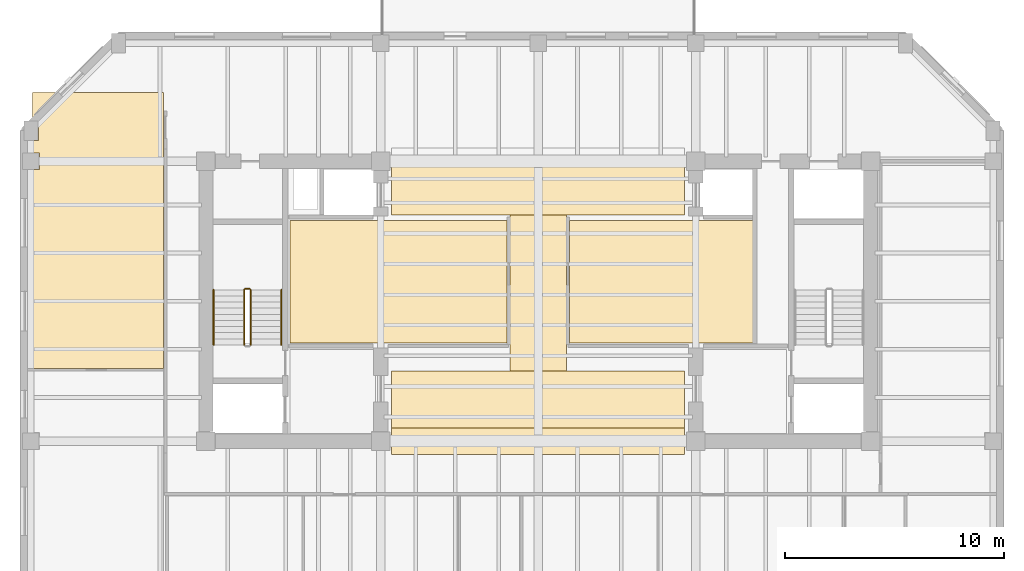
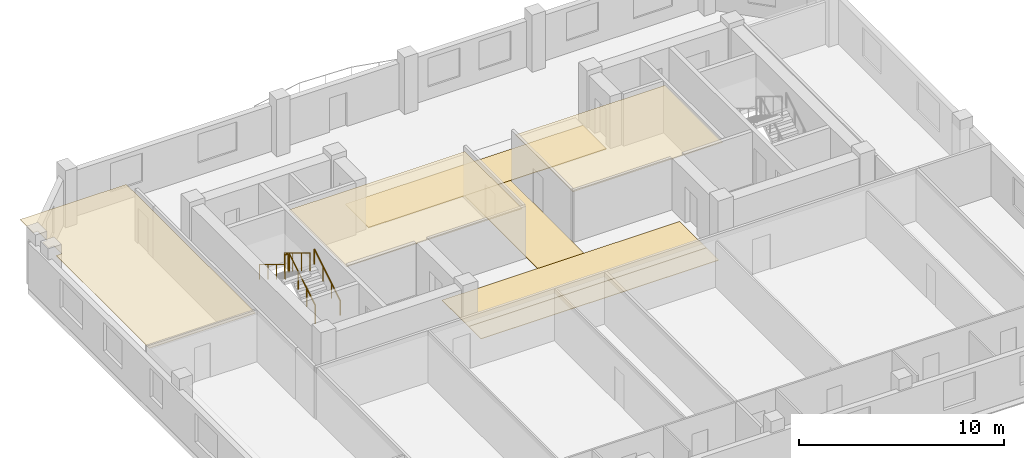
# One storey, part 7 of 10: 7 coverings, 5 railings.
"""IFC4 building model written with IfcOpenShell, lengths in metres."""

from ifc_helpers import new_model, si_unit, direction, frame, origin, origin_2d, place, context, subcontext, project, spatial, polyline, circle, outline, extrude, material, layer, layer_set, type_object, element, save


model = new_model("IFC4")

# Units and contexts
model_context = context("Model", 3, precision=1e-05, world=origin(), true_north=direction((0.0, 1.0)))
body_context = subcontext(model_context, "Body", "Model", "MODEL_VIEW")
ifc_project = project(units=[si_unit("LENGTHUNIT", "METRE"), si_unit("AREAUNIT", "SQUARE_METRE"), si_unit("VOLUMEUNIT", "CUBIC_METRE"), si_unit("PLANEANGLEUNIT", "RADIAN"), si_unit("MASSUNIT", "GRAM", prefix="KILO")], contexts=[model_context])

# Site, building, storey
site_placement = place(None, origin())
site = spatial("IfcSite", under=ifc_project, at=site_placement, CompositionType="ELEMENT")
building_placement = place(site_placement, origin())
building = spatial("IfcBuilding", under=site, at=building_placement, Name="Kranthara Brick Stack", CompositionType="ELEMENT")
storey_placement = place(building_placement, frame((0.0, 0.0, 214.300048828125)))
storey = spatial("IfcBuildingStorey", under=building, at=storey_placement, Name="L55", CompositionType="ELEMENT", Elevation=214.300048828125)

# Coverings
ifc_material_1 = material(Name="Perforated mineral-fibre acoustic ceiling tile", Category="other")
ifc_layer_1 = layer(ifc_material_1, 0.02490234375)
ifc_layer_set_1 = layer_set([ifc_layer_1], Name="Perforated mineral-fibre acoustic ceiling tile")
covering_type_1 = type_object("IfcCoveringType", Name="COV-CEIL-ACOUSTIC", PredefinedType="CEILING", material=ifc_layer_set_1)
covering_1_placement = place(storey_placement, frame((0.0, 0.0, 2.829833984375)))
element("IfcCovering", 1, at=covering_1_placement, inside=storey, type_object=covering_type_1, Name="L55 L55 Sky Club Library and Study Acoustic Ceiling", PredefinedType="CEILING", context=body_context, shape_type="SweptSolid", body=[
    extrude(outline(polyline([(26.570068359375, 25.300048828125), (26.570068359375, 30.89990234375), (16.64990234375, 30.89990234375), (16.64990234375, 25.300048828125), (26.570068359375, 25.300048828125)])), origin(), (0.0, 0.0, 1.0), 0.025146484375),
])
covering_2_placement = place(storey_placement, frame((0.0, 0.0, 2.829833984375)))
element("IfcCovering", 2, at=covering_2_placement, inside=storey, type_object=covering_type_1, Name="L55 L55 Sky Club Lounge and Salon Acoustic Ceiling", PredefinedType="CEILING", context=body_context, shape_type="SweptSolid", body=[
    extrude(outline(polyline([(37.8798828125, 25.300048828125), (37.8798828125, 30.89990234375), (29.429931640625, 30.89990234375), (29.429931640625, 25.300048828125), (37.8798828125, 25.300048828125)])), origin(), (0.0, 0.0, 1.0), 0.025146484375),
])
covering_3_placement = place(storey_placement, frame((0.0, 0.0, 2.829833984375)))
element("IfcCovering", 3, at=covering_3_placement, inside=storey, type_object=covering_type_1, Name="L55 Unit L55C 1-Bed Apartment Living Dining Acoustic Ceiling", PredefinedType="CEILING", context=body_context, shape_type="SweptSolid", body=[
    extrude(outline(polyline([(10.860107421875, 36.75), (10.860107421875, 24.112060546875), (4.8701171875, 24.112060546875), (4.8701171875, 33.215087890625), (5.18505859375, 33.215087890625), (5.18505859375, 33.985107421875), (4.8701171875, 33.985107421875), (4.8701171875, 34.5400390625), (5.135009765625, 34.5400390625), (5.135009765625, 35.4599609375), (4.8701171875, 35.4599609375), (4.8701171875, 36.75), (10.860107421875, 36.75)])), origin(), (0.0, 0.0, 1.0), 0.025146484375),
])
ifc_material_2 = material(Name="Honed terrazzo and porcelain floor finish", Category="stone")
ifc_layer_2 = layer(ifc_material_2, 0.030029296875)
ifc_layer_set_2 = layer_set([ifc_layer_2], Name="Honed terrazzo and porcelain floor finish")
covering_type_2 = type_object("IfcCoveringType", Name="COV-FLOR-STONE", PredefinedType="FLOORING", material=ifc_layer_set_2)
covering_4_placement = place(storey_placement, origin())
element("IfcCovering", 4, at=covering_4_placement, inside=storey, type_object=covering_type_2, Name="L55 Lift Lobby Stone Flooring", PredefinedType="FLOORING", context=body_context, shape_type="SweptSolid", body=[
    extrude(outline(polyline([(34.699951171875, 21.39990234375), (34.699951171875, 24.0), (21.300048828125, 24.0), (21.300048828125, 21.39990234375), (34.699951171875, 21.39990234375)])), origin(), (0.0, 0.0, 1.0), 0.030029296875),
])
covering_5_placement = place(storey_placement, origin())
element("IfcCovering", 5, at=covering_5_placement, inside=storey, type_object=covering_type_2, Name="L55 Lift Lobby Stone Flooring", PredefinedType="FLOORING", context=body_context, shape_type="SweptSolid", body=[
    extrude(outline(polyline([(34.699951171875, 31.14990234375), (34.699951171875, 33.449951171875), (21.300048828125, 33.449951171875), (21.300048828125, 31.14990234375), (34.699951171875, 31.14990234375)])), origin(), (0.0, 0.0, 1.0), 0.030029296875),
])
covering_6_placement = place(storey_placement, origin())
element("IfcCovering", 6, at=covering_6_placement, inside=storey, type_object=covering_type_2, Name="L55 Lift Lobby Stone Flooring", PredefinedType="FLOORING", context=body_context, shape_type="SweptSolid", body=[
    extrude(outline(polyline([(29.300048828125, 24.0), (26.699951171875, 24.0), (26.699951171875, 31.14990234375), (29.300048828125, 31.14990234375), (29.300048828125, 24.0)])), origin(), (0.0, 0.0, 1.0), 0.030029296875),
])
covering_7_placement = place(storey_placement, origin())
element("IfcCovering", 7, at=covering_7_placement, inside=storey, type_object=covering_type_2, Name="L55 Lift Lobby Stone Flooring", PredefinedType="FLOORING", context=body_context, shape_type="SweptSolid", body=[
    extrude(outline(polyline([(34.699951171875, 20.199951171875), (21.300048828125, 20.199951171875), (21.300048828125, 21.39990234375), (34.699951171875, 21.39990234375), (34.699951171875, 20.199951171875)])), origin(), (0.0, 0.0, 1.0), 0.030029296875),
])

# Railings
ifc_material_3 = material(Name="Painted galvanized steel stair guardrail", Category="steel")
railing_type_1 = type_object("IfcRailingType", Name="RL-STAIR-GUARD-1100", PredefinedType="GUARDRAIL", material=ifc_material_3)
railing_1_placement = place(storey_placement, frame((14.85009765625, 25.199951171875, 0.169921875)))
element("IfcRailing", 8, at=railing_1_placement, inside=storey, type_object=railing_type_1, Name="L55 ST01 stair guard 1", PredefinedType="GUARDRAIL", context=body_context, shape_type="SweptSolid", body=[
    extrude(circle(Radius=0.02392578125, at=origin_2d()), frame((0.0, 0.0, 1.076171875), z_axis=(0.0, 0.85478489116, 0.518982456201), x_axis=(-1.0, 0.0, 0.0)), (0.0, 0.0, 1.0), 2.9482421875),
    extrude(circle(Radius=0.02099609375, at=origin_2d()), origin(), (0.0, 0.0, 1.0), 1.052001953125),
    extrude(circle(Radius=0.02099609375, at=origin_2d()), frame((0.0, 0.840087890625, 0.510009765625)), (0.0, 0.0, 1.0), 1.052001953125),
    extrude(circle(Radius=0.02099609375, at=origin_2d()), frame((0.0, 1.679931640625, 1.02001953125)), (0.0, 0.0, 1.0), 1.052001953125),
    extrude(circle(Radius=0.02099609375, at=origin_2d()), frame((0.0, 2.52001953125, 1.530029296875)), (0.0, 0.0, 1.0), 1.052001953125),
])
railing_2_placement = place(storey_placement, frame((14.800048828125, 27.77001953125, 1.699951171875)))
element("IfcRailing", 9, at=railing_2_placement, inside=storey, type_object=railing_type_1, Name="L55 ST01 stair guard 2", PredefinedType="GUARDRAIL", context=body_context, shape_type="SweptSolid", body=[
    extrude(circle(Radius=0.02392578125, at=origin_2d()), frame((0.0, 0.0, 1.076171875), z_axis=(-1.0, 0.0, 0.0), x_axis=(0.0, -1.0, 0.0)), (0.0, 0.0, 1.0), 0.199951171875),
    extrude(circle(Radius=0.02099609375, at=origin_2d()), origin(), (0.0, 0.0, 1.0), 1.052001953125),
    extrude(circle(Radius=0.02099609375, at=origin_2d()), frame((-0.199951171875, 0.0, 0.0)), (0.0, 0.0, 1.0), 1.052001953125),
])
railing_3_placement = place(storey_placement, frame((14.550048828125, 27.719970703125, 1.869873046875)))
element("IfcRailing", 10, at=railing_3_placement, inside=storey, type_object=railing_type_1, Name="L55 ST01 stair guard 3", PredefinedType="GUARDRAIL", context=body_context, shape_type="SweptSolid", body=[
    extrude(circle(Radius=0.02392578125, at=origin_2d()), frame((0.0, 0.0, 1.076171875), z_axis=(0.0, -0.85478489116, 0.518982456201), x_axis=(1.0, 0.0, 0.0)), (0.0, 0.0, 1.0), 2.9482421875),
    extrude(circle(Radius=0.02099609375, at=origin_2d()), origin(), (0.0, 0.0, 1.0), 1.052001953125),
    extrude(circle(Radius=0.02099609375, at=origin_2d()), frame((0.0, -0.840087890625, 0.510009765625)), (0.0, 0.0, 1.0), 1.052001953125),
    extrude(circle(Radius=0.02099609375, at=origin_2d()), frame((0.0, -1.679931640625, 1.02001953125)), (0.0, 0.0, 1.0), 1.052001953125),
    extrude(circle(Radius=0.02099609375, at=origin_2d()), frame((0.0, -2.52001953125, 1.530029296875)), (0.0, 0.0, 1.0), 1.052001953125),
])
ifc_material_4 = material(Name="Brushed stainless steel tubular handrail", Category="steel")
railing_type_2 = type_object("IfcRailingType", Name="RL-STAIR-HAND-900", PredefinedType="HANDRAIL", material=ifc_material_4)
railing_4_placement = place(storey_placement, frame((16.25, 25.199951171875, 0.169921875)))
element("IfcRailing", 11, at=railing_4_placement, inside=storey, type_object=railing_type_2, Name="L55 ST01 stair handrail 1", PredefinedType="HANDRAIL", context=body_context, shape_type="SweptSolid", body=[
    extrude(circle(Radius=0.02392578125, at=origin_2d()), frame((0.0, 0.0, 0.8759765625), z_axis=(0.0, 0.85478489116, 0.518982456201), x_axis=(-1.0, 0.0, 0.0)), (0.0, 0.0, 1.0), 2.9482421875),
    extrude(circle(Radius=0.02099609375, at=origin_2d()), origin(), (0.0, 0.0, 1.0), 0.851806640625),
    extrude(circle(Radius=0.02099609375, at=origin_2d()), frame((0.0, 0.840087890625, 0.510009765625)), (0.0, 0.0, 1.0), 0.851806640625),
    extrude(circle(Radius=0.02099609375, at=origin_2d()), frame((0.0, 1.679931640625, 1.02001953125)), (0.0, 0.0, 1.0), 0.851806640625),
    extrude(circle(Radius=0.02099609375, at=origin_2d()), frame((0.0, 2.52001953125, 1.530029296875)), (0.0, 0.0, 1.0), 0.851806640625),
])
railing_5_placement = place(storey_placement, frame((13.14990234375, 27.719970703125, 1.869873046875)))
element("IfcRailing", 12, at=railing_5_placement, inside=storey, type_object=railing_type_2, Name="L55 ST01 stair handrail 2", PredefinedType="HANDRAIL", context=body_context, shape_type="SweptSolid", body=[
    extrude(circle(Radius=0.02392578125, at=origin_2d()), frame((0.0, 0.0, 0.8759765625), z_axis=(0.0, -0.85478489116, 0.518982456201), x_axis=(1.0, 0.0, 0.0)), (0.0, 0.0, 1.0), 2.9482421875),
    extrude(circle(Radius=0.02099609375, at=origin_2d()), origin(), (0.0, 0.0, 1.0), 0.851806640625),
    extrude(circle(Radius=0.02099609375, at=origin_2d()), frame((0.0, -0.840087890625, 0.510009765625)), (0.0, 0.0, 1.0), 0.851806640625),
    extrude(circle(Radius=0.02099609375, at=origin_2d()), frame((0.0, -1.679931640625, 1.02001953125)), (0.0, 0.0, 1.0), 0.851806640625),
    extrude(circle(Radius=0.02099609375, at=origin_2d()), frame((0.0, -2.52001953125, 1.530029296875)), (0.0, 0.0, 1.0), 0.851806640625),
])

save(model, "model.ifc")
